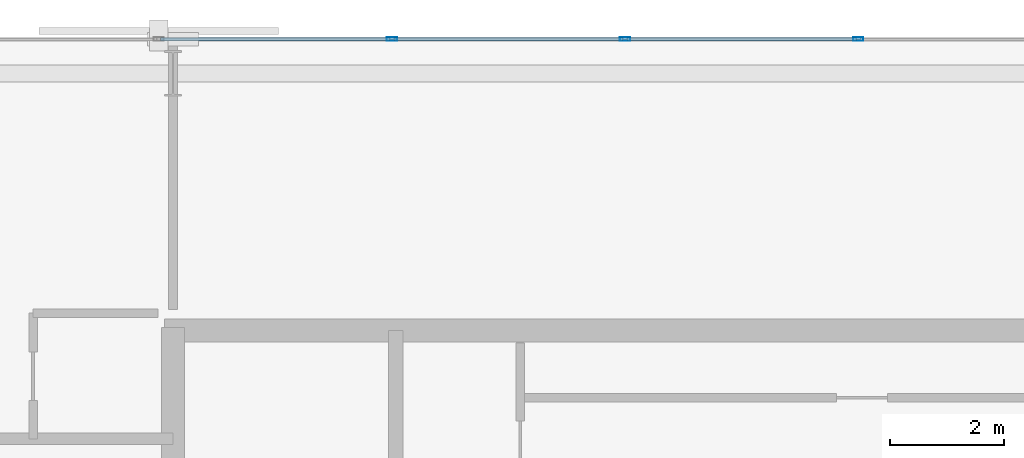
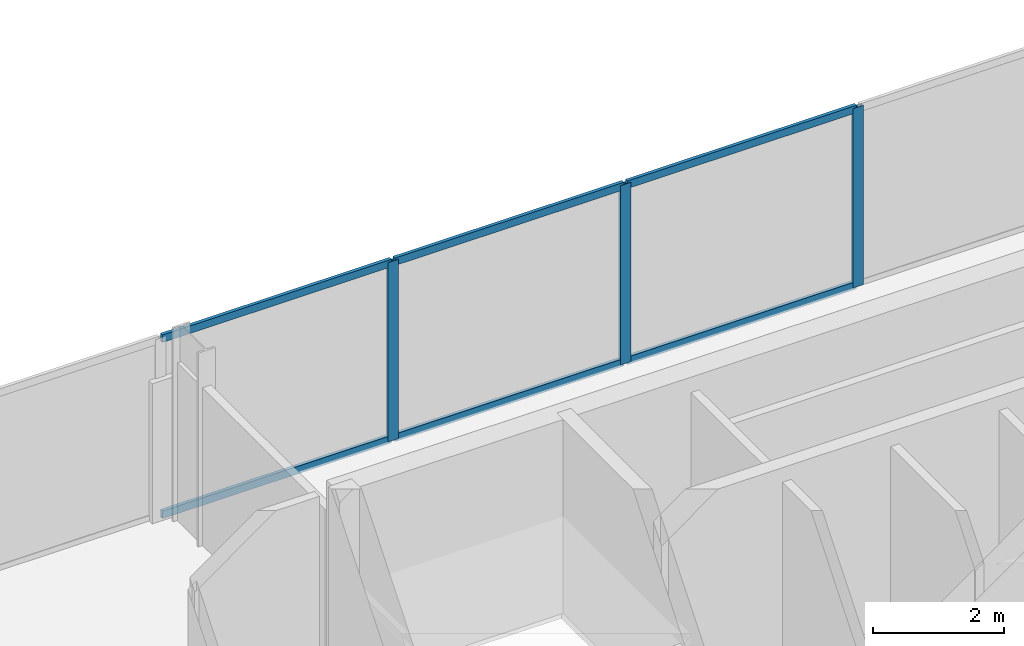
# One storey, part 23 of 33: 9 members, 1 element without a shape of its own.
"""IFC4 building model written with IfcOpenShell, lengths in metres."""

from ifc_helpers import new_model, si_unit, direction, frame, origin, origin_2d, place, context, subcontext, project, spatial, hollow_rectangle, extrude, material, layer, layer_set, material_profile, profile_set, type_object, element, aggregate, save


model = new_model("IFC4")

# Units and contexts
model_context = context("Model", 3, precision=1e-05, world=origin(), true_north=direction((0.0, 1.0)))
body_context = subcontext(model_context, "Body", "Model", "MODEL_VIEW")
ifc_project = project(units=[si_unit("LENGTHUNIT", "METRE"), si_unit("AREAUNIT", "SQUARE_METRE"), si_unit("VOLUMEUNIT", "CUBIC_METRE"), si_unit("PLANEANGLEUNIT", "RADIAN"), si_unit("MASSUNIT", "GRAM", prefix="KILO")], contexts=[model_context])

# Site, building, storey
site_placement = place(None, origin())
site = spatial("IfcSite", under=ifc_project, at=site_placement, CompositionType="ELEMENT")
building_placement = place(site_placement, origin())
building = spatial("IfcBuilding", under=site, at=building_placement, Name="Catumbela Crestline Tower", CompositionType="ELEMENT")
storey_placement = place(building_placement, frame((0.0, 0.0, 43.8)))
storey = spatial("IfcBuildingStorey", under=building, at=storey_placement, Name="L10", CompositionType="ELEMENT", Elevation=43.8)

# Curtain wall, members
ifc_material = material(Name="Aluminium alloy AW-6060-T66", Category="aluminium")
ifc_layer = layer(ifc_material, 0.18, Name="Aluminium alloy AW-6060-T66")
ifc_layer_set = layer_set([ifc_layer], Name="Aluminium alloy AW-6060-T66")
curtain_wall_type = type_object("IfcCurtainWallType", Name="CWU-Z1", PredefinedType="USERDEFINED", material=ifc_layer_set)
curtain_wall_placement = place(storey_placement, origin())
curtain_wall = element("IfcCurtainWall", 1, at=curtain_wall_placement, inside=storey, type_object=curtain_wall_type, Name="L10 Unitised Curtain Wall CW-L10-E7S1", ObjectType="UNITISED", PredefinedType="USERDEFINED")
ifc_material_profile_1 = material_profile(ifc_material, hollow_rectangle(XDim=0.065, YDim=0.18, WallThickness=0.004, at=origin_2d()), Name="ALU 180x65x4")
ifc_profile_set_1 = profile_set([ifc_material_profile_1], Name="Aluminium alloy AW-6060-T66")
member_type_1 = type_object("IfcMemberType", Name="MUL-180X65", PredefinedType="MULLION", material=ifc_profile_set_1)
member_1_placement = place(storey_placement, frame((28.0, 48.0, 0.0), z_axis=(0.0, 0.0, 1.0), x_axis=(0.0, -1.0, 0.0)))
member_1 = element("IfcMember", 2, at=member_1_placement, type_object=member_type_1, Name="CWU-Z1 mullion 7", PredefinedType="MULLION", context=body_context, shape_type="SweptSolid", body=[
    extrude(hollow_rectangle(XDim=0.065, YDim=0.18, WallThickness=0.004, at=origin_2d()), origin(), (0.0, 0.0, 1.0), 3.33),
])
member_2_placement = place(storey_placement, frame((23.9167, 48.0, 0.0), z_axis=(0.0, 0.0, 1.0), x_axis=(0.0, -1.0, 0.0)))
member_2 = element("IfcMember", 3, at=member_2_placement, type_object=member_type_1, Name="CWU-Z1 mullion 8", PredefinedType="MULLION", context=body_context, shape_type="SweptSolid", body=[
    extrude(hollow_rectangle(XDim=0.065, YDim=0.18, WallThickness=0.004, at=origin_2d()), origin(), (0.0, 0.0, 1.0), 3.33),
])
member_3_placement = place(storey_placement, frame((19.8333, 48.0, 0.0), z_axis=(0.0, 0.0, 1.0), x_axis=(0.0, -1.0, 0.0)))
member_3 = element("IfcMember", 4, at=member_3_placement, type_object=member_type_1, Name="CWU-Z1 mullion 9", PredefinedType="MULLION", context=body_context, shape_type="SweptSolid", body=[
    extrude(hollow_rectangle(XDim=0.065, YDim=0.18, WallThickness=0.004, at=origin_2d()), origin(), (0.0, 0.0, 1.0), 3.33),
])
ifc_material_profile_2 = material_profile(ifc_material, hollow_rectangle(XDim=0.06, YDim=0.14, WallThickness=0.004, at=origin_2d()), Name="ALU 140x60x4")
ifc_profile_set_2 = profile_set([ifc_material_profile_2], Name="Aluminium alloy AW-6060-T66")
member_type_2 = type_object("IfcMemberType", Name="TRN-140X60", PredefinedType="USERDEFINED", material=ifc_profile_set_2)
member_4_placement = place(storey_placement, frame((27.9675, 48.0, 0.03), z_axis=(-1.0, 0.0, 0.0), x_axis=(0.0, -1.0, 0.0)))
member_4 = element("IfcMember", 5, at=member_4_placement, type_object=member_type_2, Name="CWU-Z1 transom 7.1", ObjectType="TRANSOM", PredefinedType="USERDEFINED", context=body_context, shape_type="SweptSolid", body=[
    extrude(hollow_rectangle(XDim=0.06, YDim=0.14, WallThickness=0.004, at=origin_2d()), origin(), (0.0, 0.0, 1.0), 4.0183),
])
member_5_placement = place(storey_placement, frame((27.9675, 48.0, 3.3), z_axis=(-1.0, 0.0, 0.0), x_axis=(0.0, -1.0, 0.0)))
member_5 = element("IfcMember", 6, at=member_5_placement, type_object=member_type_2, Name="CWU-Z1 transom 7.2", ObjectType="TRANSOM", PredefinedType="USERDEFINED", context=body_context, shape_type="SweptSolid", body=[
    extrude(hollow_rectangle(XDim=0.06, YDim=0.14, WallThickness=0.004, at=origin_2d()), origin(), (0.0, 0.0, 1.0), 4.0183),
])
member_6_placement = place(storey_placement, frame((23.8842, 48.0, 0.03), z_axis=(-1.0, 0.0, 0.0), x_axis=(0.0, -1.0, 0.0)))
member_6 = element("IfcMember", 7, at=member_6_placement, type_object=member_type_2, Name="CWU-Z1 transom 8.1", ObjectType="TRANSOM", PredefinedType="USERDEFINED", context=body_context, shape_type="SweptSolid", body=[
    extrude(hollow_rectangle(XDim=0.06, YDim=0.14, WallThickness=0.004, at=origin_2d()), origin(), (0.0, 0.0, 1.0), 4.0184),
])
member_7_placement = place(storey_placement, frame((23.8842, 48.0, 3.3), z_axis=(-1.0, 0.0, 0.0), x_axis=(0.0, -1.0, 0.0)))
member_7 = element("IfcMember", 8, at=member_7_placement, type_object=member_type_2, Name="CWU-Z1 transom 8.2", ObjectType="TRANSOM", PredefinedType="USERDEFINED", context=body_context, shape_type="SweptSolid", body=[
    extrude(hollow_rectangle(XDim=0.06, YDim=0.14, WallThickness=0.004, at=origin_2d()), origin(), (0.0, 0.0, 1.0), 4.0184),
])
member_8_placement = place(storey_placement, frame((19.8008, 48.0, 0.03), z_axis=(-1.0, 0.0, 0.0), x_axis=(0.0, -1.0, 0.0)))
member_8 = element("IfcMember", 9, at=member_8_placement, type_object=member_type_2, Name="CWU-Z1 transom 9.1", ObjectType="TRANSOM", PredefinedType="USERDEFINED", context=body_context, shape_type="SweptSolid", body=[
    extrude(hollow_rectangle(XDim=0.06, YDim=0.14, WallThickness=0.004, at=origin_2d()), origin(), (0.0, 0.0, 1.0), 4.0183),
])
member_9_placement = place(storey_placement, frame((19.8008, 48.0, 3.3), z_axis=(-1.0, 0.0, 0.0), x_axis=(0.0, -1.0, 0.0)))
member_9 = element("IfcMember", 10, at=member_9_placement, type_object=member_type_2, Name="CWU-Z1 transom 9.2", ObjectType="TRANSOM", PredefinedType="USERDEFINED", context=body_context, shape_type="SweptSolid", body=[
    extrude(hollow_rectangle(XDim=0.06, YDim=0.14, WallThickness=0.004, at=origin_2d()), origin(), (0.0, 0.0, 1.0), 4.0183),
])
aggregate(curtain_wall, [member_1, member_2, member_3, member_4, member_5, member_6, member_7, member_8, member_9])

save(model, "model.ifc")
